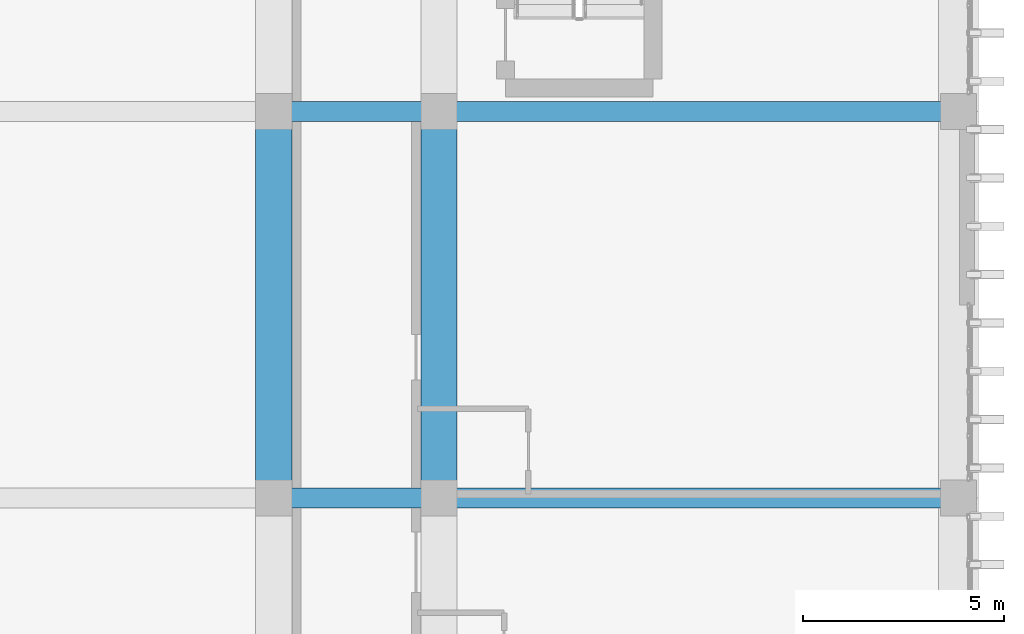
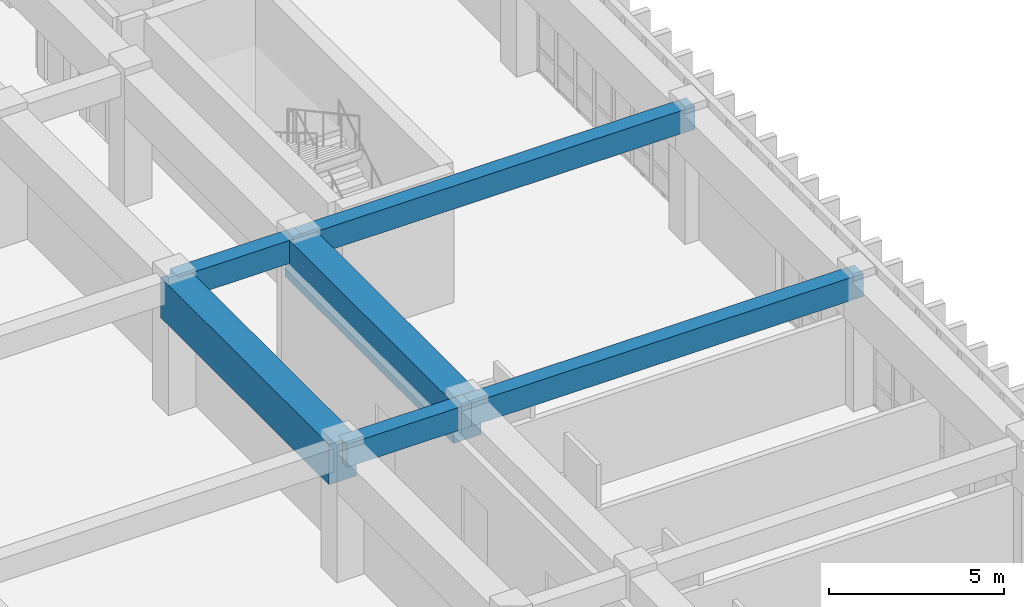
# One storey, part 35 of 101: 6 beams.
"""IFC4 building model written with IfcOpenShell, lengths in metres."""

import ifcopenshell
import ifcopenshell.guid

model = None  # the IFC model being written
_history = None  # IfcOwnerHistory: only IFC2X3 demands one
_inside = {}  # id of a spatial element -> (the spatial element, [elements in it])
_under = {}  # id of a project, library or spatial element -> (it, [spatial elements below it])
_declared = {}  # id of a project -> (the project, [libraries it declares])
_typed = {}  # id of a type object -> (the type object, [elements of that type])
_made_of = {}  # id of a material, layer set ... -> (it, [elements and type objects made of it])


def new_model(schema):
    """Start an empty IFC model of exactly this schema.

    Asked for "IFC4X3", IfcOpenShell would pick the latest addendum, in which some entities
    have other attributes; the version numbers below select the first issue.
    IFC2X3 requires an IfcOwnerHistory on every rooted entity: one is made here for all.
    """
    global model, _history
    if schema == "IFC4X3":
        model = ifcopenshell.file(schema_version=(4, 3, 0, 0))
    else:
        model = ifcopenshell.file(schema=schema)
    _inside.clear()
    _under.clear()
    _declared.clear()
    _typed.clear()
    _made_of.clear()
    _history = None
    if model.schema == "IFC2X3":
        org = make("IfcOrganization", Name="unknown")
        user = make(
            "IfcPersonAndOrganization",
            ThePerson=make("IfcPerson", FamilyName="unknown"),
            TheOrganization=org,
        )
        app = make(
            "IfcApplication",
            ApplicationDeveloper=org,
            Version="unknown",
            ApplicationFullName="unknown",
            ApplicationIdentifier="unknown",
        )
        _history = make(
            "IfcOwnerHistory",
            OwningUser=user,
            OwningApplication=app,
            ChangeAction="ADDED",
            CreationDate=0,
        )
    return model


def make(cls, **values):
    """One entity of the class cls with the attributes given. An attribute that is None is left unset."""
    return model.create_entity(
        cls, **{name: value for name, value in values.items() if value is not None}
    )


def rooted(cls, **values):
    """An entity with a GlobalId (a new one), such as an element, a storey or a relation."""
    return make(cls, GlobalId=ifcopenshell.guid.new(), OwnerHistory=_history, **values)


def si_unit(unit_type, name, prefix=None):
    """IfcSIUnit, for example si_unit("LENGTHUNIT", "METRE", prefix="MILLI")."""
    return make("IfcSIUnit", UnitType=unit_type, Prefix=prefix, Name=name)


def assignment(units):
    """IfcUnitAssignment: the units of a project."""
    return None if units is None else make("IfcUnitAssignment", Units=units)


def point(xyz):
    """IfcCartesianPoint."""
    return None if xyz is None else make("IfcCartesianPoint", Coordinates=xyz)


def direction(xyz):
    """IfcDirection."""
    return None if xyz is None else make("IfcDirection", DirectionRatios=xyz)


def frame(location, z_axis=None, x_axis=None):
    """IfcAxis2Placement3D, a coordinate frame: its origin and axes. An axis left out is left unset."""
    return make(
        "IfcAxis2Placement3D",
        Location=point(location),
        Axis=direction(z_axis),
        RefDirection=direction(x_axis),
    )


def frame_2d(location, x_axis=None):
    """IfcAxis2Placement2D, a coordinate frame in the plane: its origin and x axis."""
    return make(
        "IfcAxis2Placement2D", Location=point(location), RefDirection=direction(x_axis)
    )


def origin():
    """The frame at (0, 0, 0) with its axes left unset."""
    return frame((0.0, 0.0, 0.0))


def origin_2d():
    """The frame at (0, 0) in the plane with its x axis left unset."""
    return frame_2d((0.0, 0.0))


def place(relative_to, where):
    """IfcLocalPlacement: puts the frame where relative to a parent placement (None: the world)."""
    return make(
        "IfcLocalPlacement", PlacementRelTo=relative_to, RelativePlacement=where
    )


def context(
    kind, dimensions, precision=None, world=None, true_north=None, identifier=None
):
    """IfcGeometricRepresentationContext, for example the 3D "Model" context."""
    return make(
        "IfcGeometricRepresentationContext",
        ContextIdentifier=identifier,
        ContextType=kind,
        CoordinateSpaceDimension=dimensions,
        Precision=precision,
        WorldCoordinateSystem=world,
        TrueNorth=true_north,
    )


def subcontext(parent, identifier, kind, view, scale=None):
    """IfcGeometricRepresentationSubContext, for example "Body" below "Model"."""
    return make(
        "IfcGeometricRepresentationSubContext",
        ContextIdentifier=identifier,
        ContextType=kind,
        ParentContext=parent,
        TargetScale=scale,
        TargetView=view,
    )


def project(units=None, contexts=None):
    """IfcProject with its units and contexts."""
    return rooted(
        "IfcProject",
        Name="project",
        RepresentationContexts=contexts,
        UnitsInContext=assignment(units),
    )


def spatial(cls, under=None, at=None, **own):
    """A site, building, storey or space (cls), placed at a placement, below another one or the project."""
    s = rooted(cls, ObjectPlacement=at, **own)
    if under is not None:
        _under.setdefault(under.id(), (under, []))[1].append(s)
    return s


def profile(cls, at=None, kind="AREA", **sizes):
    """A parametric profile (cls). Its sizes go by their IFC names, for example OverallWidth=200.0."""
    return make(cls, ProfileType=kind, Position=at, **sizes)


def rectangle(**sizes):
    """IfcRectangleProfileDef."""
    return profile("IfcRectangleProfileDef", **sizes)


def extrude(swept, where, along, depth):
    """IfcExtrudedAreaSolid: the profile swept, set in the frame where, extruded along a direction by depth."""
    return make(
        "IfcExtrudedAreaSolid",
        SweptArea=swept,
        Position=where,
        ExtrudedDirection=direction(along),
        Depth=depth,
    )


def shape(context_of_items, identifier, shape_type, items):
    """IfcShapeRepresentation: the items that make up one representation, for example the "Body"."""
    return make(
        "IfcShapeRepresentation",
        ContextOfItems=context_of_items,
        RepresentationIdentifier=identifier,
        RepresentationType=shape_type,
        Items=items,
    )


def material(Name=None, Category=None):
    """IfcMaterial."""
    return make("IfcMaterial", Name=Name, Category=Category)


def material_profile(
    of_material, cross_section, Name=None, Category=None, Priority=None
):
    """IfcMaterialProfile: a cross section and its material."""
    return make(
        "IfcMaterialProfile",
        Name=Name,
        Material=of_material,
        Profile=cross_section,
        Priority=Priority,
        Category=Category,
    )


def profile_set(profiles, Name=None, composite=None):
    """IfcMaterialProfileSet."""
    return make(
        "IfcMaterialProfileSet",
        Name=Name,
        MaterialProfiles=profiles,
        CompositeProfile=composite,
    )


def made_of(thing, what):
    """Note that an element or type object is made of a material, layer set ...; save() writes the relation."""
    if what is not None:
        _made_of.setdefault(what.id(), (what, []))[1].append(thing)
    return thing


def type_object(cls, material=None, **own):
    """A type object (cls), such as IfcWallType, which elements share."""
    return made_of(rooted(cls, **own), material)


def element(
    cls,
    number,
    at=None,
    inside=None,
    cuts=None,
    type_object=None,
    material=None,
    context=None,
    identifier="Body",
    shape_type=None,
    held_by="IfcProductDefinitionShape",
    body=None,
    shapes=None,
    **own,
):
    """One element of the class cls, such as IfcWall. Its Tag is "e" and its number.

    at: its placement. inside: the storey or other place that contains it. cuts: it is an
    opening in that element (IfcRelVoidsElement). A single representation is given by context,
    identifier, shape_type and body (its items); several are given by shapes. held_by: the class
    of the entity that holds the representations. save() writes the other relations.
    """
    e = rooted(cls, Tag="e%d" % number, ObjectPlacement=at, **own)
    if body is not None:
        shapes = [shape(context, identifier, shape_type, body)]
    if shapes is not None:
        e.Representation = make(held_by, Representations=shapes)
    if inside is not None:
        _inside.setdefault(inside.id(), (inside, []))[1].append(e)
    if cuts is not None:
        rooted(
            "IfcRelVoidsElement", RelatingBuildingElement=cuts, RelatedOpeningElement=e
        )
    if type_object is not None:
        _typed.setdefault(type_object.id(), (type_object, []))[1].append(e)
    return made_of(e, material)


def aggregate(whole, parts):
    """IfcRelAggregates: a whole, such as a stair, and the parts it consists of."""
    return rooted("IfcRelAggregates", RelatingObject=whole, RelatedObjects=parts)


def save(model, path):
    """Write the relations noted so far, then the file.

    IfcRelAggregates (storeys below a building ...), IfcRelContainedInSpatialStructure (elements
    in a storey), IfcRelDefinesByType, IfcRelAssociatesMaterial and IfcRelDeclares: one each for
    every whole, place, type object, material and project.
    """
    for whole, parts in _under.values():
        aggregate(whole, parts)
    for where, things in _inside.values():
        rooted(
            "IfcRelContainedInSpatialStructure",
            RelatedElements=things,
            RelatingStructure=where,
        )
    for kind, things in _typed.values():
        rooted("IfcRelDefinesByType", RelatedObjects=things, RelatingType=kind)
    for what, things in _made_of.values():
        rooted("IfcRelAssociatesMaterial", RelatedObjects=things, RelatingMaterial=what)
    for by, libraries in _declared.values():
        rooted("IfcRelDeclares", RelatingContext=by, RelatedDefinitions=libraries)
    model.write(path)


model = new_model("IFC4")

# Units and contexts
model_context = context("Model", 3, precision=1e-05, world=origin(), true_north=direction((0.0, 1.0)))
body_context = subcontext(model_context, "Body", "Model", "MODEL_VIEW")
ifc_project = project(units=[si_unit("LENGTHUNIT", "METRE"), si_unit("AREAUNIT", "SQUARE_METRE"), si_unit("VOLUMEUNIT", "CUBIC_METRE"), si_unit("PLANEANGLEUNIT", "RADIAN"), si_unit("MASSUNIT", "GRAM", prefix="KILO")], contexts=[model_context])

# Site, building, storey
site_placement = place(None, origin())
site = spatial("IfcSite", under=ifc_project, at=site_placement, CompositionType="ELEMENT")
building_placement = place(site_placement, origin())
building = spatial("IfcBuilding", under=site, at=building_placement, Name="Nakhvara Creek Congress Hotel", CompositionType="ELEMENT")
storey_placement = place(building_placement, frame((0.0, 0.0, 16.199951171875)))
storey = spatial("IfcBuildingStorey", under=building, at=storey_placement, Name="L03", CompositionType="ELEMENT", Elevation=16.199951171875)

# Beams
ifc_material_1 = material(Name="Concrete C40/50", Category="concrete")
ifc_material_profile_1 = material_profile(ifc_material_1, rectangle(XDim=0.5, YDim=0.800048828125, at=origin_2d()), Name="RC-BM 500x800", Category="LoadBearing")
ifc_profile_set_1 = profile_set([ifc_material_profile_1], Name="Concrete C40/50")
beam_type_1 = type_object("IfcBeamType", Name="BM-RC-500X800", PredefinedType="BEAM", material=ifc_profile_set_1)
for number, where, z_axis, x_axis, name in (
    (1, (162.35009765625, 19.199951171875, 4.14013671875), (1.0, 0.0, 0.0), (0.0, 1.0, 0.0), "Beam B03-L03-1849"),
    (2, (162.35009765625, 28.800048828125, 4.14013671875), (1.0, 0.0, 0.0), (0.0, 1.0, 0.0), "Beam B03-L03-1851"),
):
    element("IfcBeam", number, at=place(storey_placement, frame(where, z_axis=z_axis, x_axis=x_axis)), inside=storey, type_object=beam_type_1, Name=name, PredefinedType="BEAM", context=body_context, shape_type="SweptSolid", body=[
        extrude(rectangle(XDim=0.5, YDim=0.800048828125, at=origin_2d()), origin(), (0.0, 0.0, 1.0), 4.099853515625),
    ])
for number, where, z_axis, x_axis, name in (
    (3, (166.449951171875, 19.199951171875, 4.14013671875), (1.0, 0.0, 0.0), (0.0, 1.0, 0.0), "Beam B03-L03-1876"),
    (4, (166.449951171875, 28.800048828125, 4.14013671875), (1.0, 0.0, 0.0), (0.0, 1.0, 0.0), "Beam B03-L03-1878"),
):
    element("IfcBeam", number, at=place(storey_placement, frame(where, z_axis=z_axis, x_axis=x_axis)), inside=storey, type_object=beam_type_1, Name=name, PredefinedType="BEAM", context=body_context, shape_type="SweptSolid", body=[
        extrude(rectangle(XDim=0.5, YDim=0.800048828125, at=origin_2d()), origin(), (0.0, 0.0, 1.0), 12.900146484375),
    ])
ifc_material_2 = material(Name="Concrete C50/60", Category="concrete")
ifc_material_profile_2 = material_profile(ifc_material_2, rectangle(XDim=0.89990234375, YDim=1.39990234375, at=origin_2d()), Name="RC-TG 900x1400", Category="LoadBearing")
ifc_profile_set_2 = profile_set([ifc_material_profile_2], Name="Concrete C50/60")
beam_type_2 = type_object("IfcBeamType", Name="BM-TG1-1400", PredefinedType="BEAM", material=ifc_profile_set_2)
for number, where, z_axis, x_axis, name in (
    (5, (162.35009765625, 19.199951171875, 3.840087890625), (0.0, 1.0, 0.0), (-1.0, 0.0, 0.0), "Transfer Girder TG1-L03-1848"),
    (6, (166.449951171875, 19.199951171875, 3.840087890625), (0.0, 1.0, 0.0), (-1.0, 0.0, 0.0), "Transfer Girder TG1-L03-1875"),
):
    element("IfcBeam", number, at=place(storey_placement, frame(where, z_axis=z_axis, x_axis=x_axis)), inside=storey, type_object=beam_type_2, Name=name, PredefinedType="BEAM", context=body_context, shape_type="SweptSolid", body=[
        extrude(rectangle(XDim=0.89990234375, YDim=1.39990234375, at=origin_2d()), origin(), (0.0, 0.0, 1.0), 9.60009765625),
    ])

save(model, "model.ifc")
